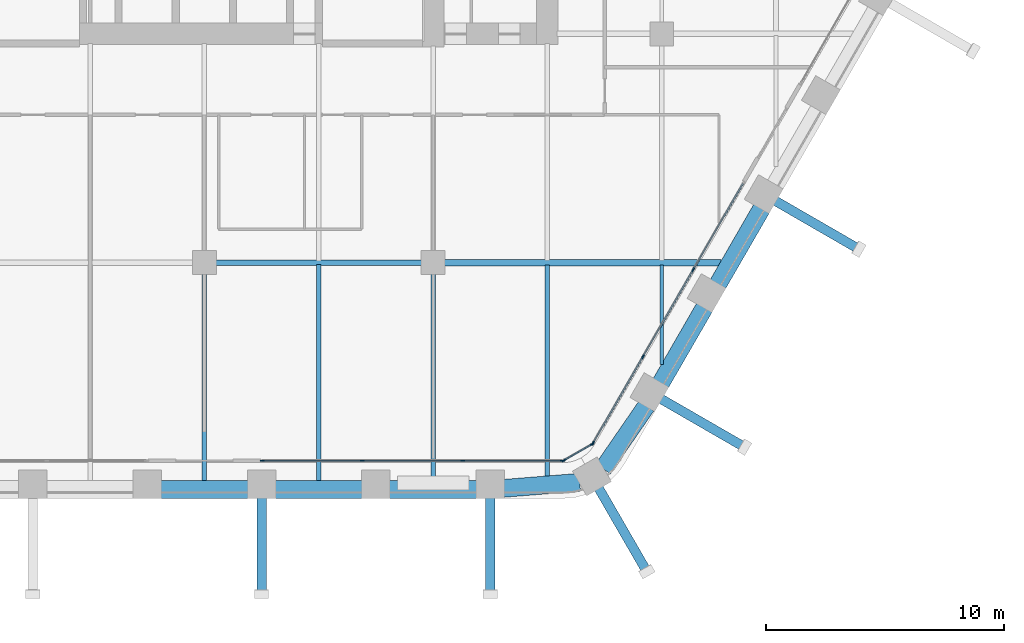
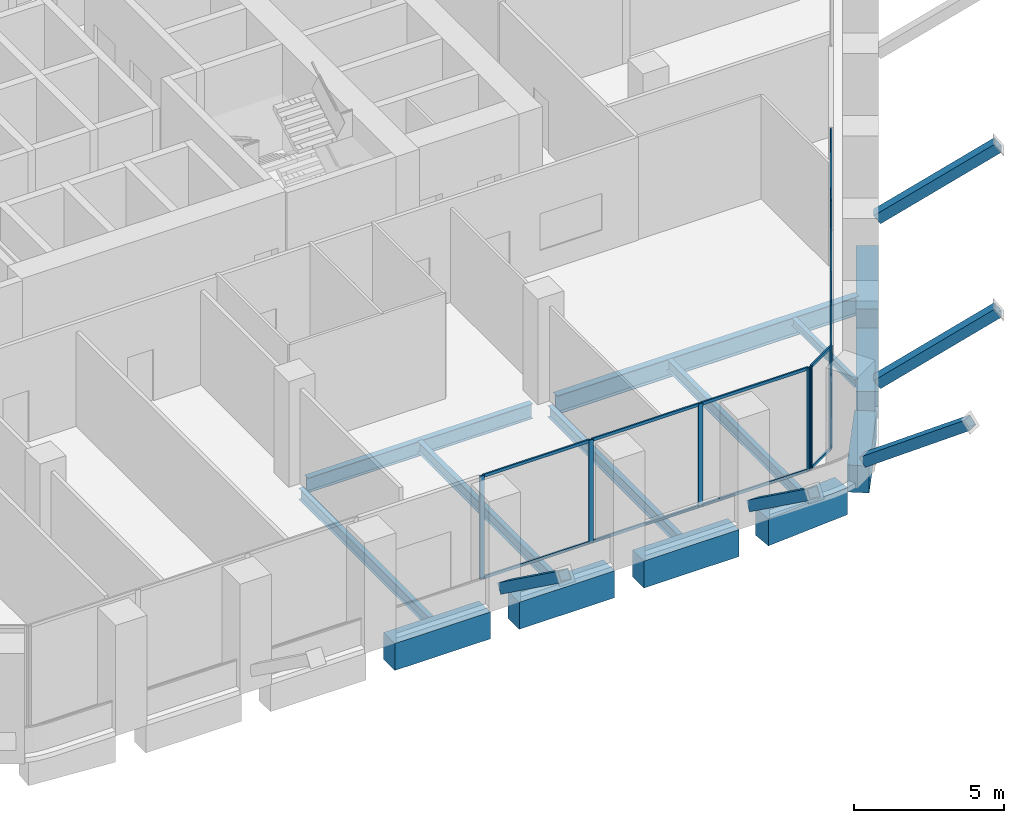
# One storey, part 4 of 24: 28 members, 14 beams, 3 elements without a shape of their own.
"""IFC4 building model written with IfcOpenShell, lengths in metres."""

from ifc_helpers import new_model, si_unit, direction, frame, origin, origin_2d, place, context, subcontext, project, spatial, rectangle, hollow_rectangle, i_section, extrude, material, material_profile, profile_set, type_object, element, aggregate, save


model = new_model("IFC4")

# Units and contexts
model_context = context("Model", 3, precision=1e-05, world=origin(), true_north=direction((0.0, 1.0)))
body_context = subcontext(model_context, "Body", "Model", "MODEL_VIEW")
ifc_project = project(units=[si_unit("LENGTHUNIT", "METRE"), si_unit("AREAUNIT", "SQUARE_METRE"), si_unit("VOLUMEUNIT", "CUBIC_METRE"), si_unit("PLANEANGLEUNIT", "RADIAN"), si_unit("MASSUNIT", "GRAM", prefix="KILO")], contexts=[model_context])

# Site, building, storey
site_placement = place(None, origin())
site = spatial("IfcSite", under=ifc_project, at=site_placement, CompositionType="ELEMENT")
building_placement = place(site_placement, origin())
building = spatial("IfcBuilding", under=site, at=building_placement, Name="Kolab Exchange Tower", CompositionType="ELEMENT")
storey_placement = place(building_placement, frame((0.0, 0.0, 86.89990234375)))
storey = spatial("IfcBuildingStorey", under=building, at=storey_placement, Name="L16", CompositionType="ELEMENT", Elevation=86.89990234375)

# Beams
ifc_material_1 = material(Name="Steel S355", Category="steel")
ifc_material_profile_1 = material_profile(ifc_material_1, i_section(OverallWidth=0.1650390625, OverallDepth=0.31005859375, WebThickness=0.005859375, FlangeThickness=0.009765625, at=origin_2d()), Name="W310X39")
ifc_profile_set_1 = profile_set([ifc_material_profile_1], Name="Steel S355")
beam_type_1 = type_object("IfcBeamType", Name="FLOOR BEAM W310X39", PredefinedType="BEAM", material=ifc_profile_set_1)
beam_1_placement = place(storey_placement, frame((19.199951171875, -23.4814453125, -0.35498046875), z_axis=(0.0, 1.0, 0.0), x_axis=(-1.0, 0.0, 0.0)))
element("IfcBeam", 1, at=beam_1_placement, inside=storey, type_object=beam_type_1, Name="beam/L16/fr/040", PredefinedType="BEAM", context=body_context, shape_type="SweptSolid", body=[
    extrude(i_section(OverallWidth=0.1650390625, OverallDepth=0.31005859375, WebThickness=0.005859375, FlangeThickness=0.009765625, at=origin_2d()), origin(), (0.0, 0.0, 1.0), 4.18798828125),
])
ifc_material_profile_2 = material_profile(ifc_material_1, i_section(OverallWidth=0.18994140625, OverallDepth=0.45703125, WebThickness=0.009033203125, FlangeThickness=0.014404296875, at=origin_2d()), Name="W460X74")
ifc_profile_set_2 = profile_set([ifc_material_profile_2], Name="Steel S355")
beam_type_2 = type_object("IfcBeamType", Name="FLOOR BEAM W460X74", PredefinedType="BEAM", material=ifc_profile_set_2)
beam_2_placement = place(storey_placement, frame((0.0, -28.388427734375, -0.428466796875), z_axis=(0.0, 1.0, 0.0), x_axis=(-1.0, 0.0, 0.0)))
element("IfcBeam", 2, at=beam_2_placement, inside=storey, type_object=beam_type_2, Name="beam/L16/fr/024", PredefinedType="BEAM", context=body_context, shape_type="SweptSolid", body=[
    extrude(i_section(OverallWidth=0.18994140625, OverallDepth=0.45703125, WebThickness=0.009033203125, FlangeThickness=0.014404296875, at=origin_2d()), origin(), (0.0, 0.0, 1.0), 8.728515625),
])
beam_3_placement = place(storey_placement, frame((4.800048828125, -28.388427734375, -0.428466796875), z_axis=(0.0, 1.0, 0.0), x_axis=(-1.0, 0.0, 0.0)))
element("IfcBeam", 3, at=beam_3_placement, inside=storey, type_object=beam_type_2, Name="beam/L16/fr/028", PredefinedType="BEAM", context=body_context, shape_type="SweptSolid", body=[
    extrude(i_section(OverallWidth=0.18994140625, OverallDepth=0.45703125, WebThickness=0.009033203125, FlangeThickness=0.014404296875, at=origin_2d()), origin(), (0.0, 0.0, 1.0), 9.114501953125),
])
beam_4_placement = place(storey_placement, frame((9.60009765625, -28.388427734375, -0.428466796875), z_axis=(0.0, 1.0, 0.0), x_axis=(-1.0, 0.0, 0.0)))
element("IfcBeam", 4, at=beam_4_placement, inside=storey, type_object=beam_type_2, Name="beam/L16/fr/032", PredefinedType="BEAM", context=body_context, shape_type="SweptSolid", body=[
    extrude(i_section(OverallWidth=0.18994140625, OverallDepth=0.45703125, WebThickness=0.009033203125, FlangeThickness=0.014404296875, at=origin_2d()), origin(), (0.0, 0.0, 1.0), 8.728515625),
])
beam_5_placement = place(storey_placement, frame((14.39990234375, -28.194580078125, -0.428466796875), z_axis=(0.0, 1.0, 0.0), x_axis=(-1.0, 0.0, 0.0)))
element("IfcBeam", 5, at=beam_5_placement, inside=storey, type_object=beam_type_2, Name="beam/L16/fr/036", PredefinedType="BEAM", context=body_context, shape_type="SweptSolid", body=[
    extrude(i_section(OverallWidth=0.18994140625, OverallDepth=0.45703125, WebThickness=0.009033203125, FlangeThickness=0.014404296875, at=origin_2d()), origin(), (0.0, 0.0, 1.0), 8.901123046875),
])
ifc_material_profile_3 = material_profile(ifc_material_1, i_section(OverallWidth=0.22802734375, OverallDepth=0.60791015625, WebThickness=0.01123046875, FlangeThickness=0.017333984375, at=origin_2d()), Name="W610X113")
ifc_profile_set_3 = profile_set([ifc_material_profile_3], Name="Steel S355")
beam_type_3 = type_object("IfcBeamType", Name="FLOOR GIRDER W610X113", PredefinedType="BEAM", material=ifc_profile_set_3)
beam_6_placement = place(storey_placement, frame((0.4599609375, -19.199951171875, -0.50390625), z_axis=(1.0, 0.0, 0.0), x_axis=(0.0, 1.0, 0.0)))
element("IfcBeam", 6, at=beam_6_placement, inside=storey, type_object=beam_type_3, Name="beam/L16/gd/010", PredefinedType="BEAM", context=body_context, shape_type="SweptSolid", body=[
    extrude(i_section(OverallWidth=0.22802734375, OverallDepth=0.60791015625, WebThickness=0.01123046875, FlangeThickness=0.017333984375, at=origin_2d()), origin(), (0.0, 0.0, 1.0), 8.679931640625),
])
ifc_material_profile_4 = material_profile(ifc_material_1, i_section(OverallWidth=0.26708984375, OverallDepth=0.761962890625, WebThickness=0.014404296875, FlangeThickness=0.021484375, at=origin_2d()), Name="W760X173")
ifc_profile_set_4 = profile_set([ifc_material_profile_4], Name="Steel S355")
beam_type_4 = type_object("IfcBeamType", Name="FLOOR GIRDER W760X173", PredefinedType="BEAM", material=ifc_profile_set_4)
beam_7_placement = place(storey_placement, frame((10.06005859375, -19.199951171875, -0.580810546875), z_axis=(1.0, 0.0, 0.0), x_axis=(0.0, 1.0, 0.0)))
element("IfcBeam", 7, at=beam_7_placement, inside=storey, type_object=beam_type_4, Name="beam/L16/gd/012", PredefinedType="BEAM", context=body_context, shape_type="SweptSolid", body=[
    extrude(i_section(OverallWidth=0.26708984375, OverallDepth=0.761962890625, WebThickness=0.014404296875, FlangeThickness=0.021484375, at=origin_2d()), origin(), (0.0, 0.0, 1.0), 11.628662109375),
])

# Members
ifc_material_profile_5 = material_profile(ifc_material_1, hollow_rectangle(XDim=0.39990234375, YDim=0.39990234375, WallThickness=0.02001953125, at=origin_2d()), Name="HSS400X400X20")
ifc_profile_set_5 = profile_set([ifc_material_profile_5], Name="Steel S355")
member_type_1 = type_object("IfcMemberType", Name="LEDGE STRUT HSS400X400X20", PredefinedType="STRUT", material=ifc_profile_set_5)
for number, where, z_axis, x_axis, name in (
    (8, (23.96533203125, -16.607666015625, 0.60009765625), (0.702055669831, -0.40533170136, 0.585511783255), (0.499999695987, 0.866025579307, 0.0), "mem/L16/ledge/strut-2"),
    (9, (19.165283203125, -24.92138671875, 0.60009765625), (0.702055669831, -0.40533170136, 0.585511783255), (0.499999695987, 0.866025579307, 0.0), "mem/L16/ledge/strut-3"),
    (10, (16.5478515625, -28.661865234375, 0.60009765625), (0.40533170136, -0.702055669831, 0.585511783255), (0.866025579307, 0.499999695987, 0.0), "mem/L16/ledge/strut-4"),
):
    element("IfcMember", number, at=place(storey_placement, frame(where, z_axis=z_axis, x_axis=x_axis)), inside=storey, type_object=member_type_1, Name=name, PredefinedType="STRUT", context=body_context, shape_type="SweptSolid", body=[
        extrude(hollow_rectangle(XDim=0.39990234375, YDim=0.39990234375, WallThickness=0.02001953125, at=origin_2d()), origin(), (0.0, 0.0, 1.0), 4.983642578125),
    ])
for number, where, z_axis, x_axis, name in (
    (11, (12.0, -29.05859375, 0.60009765625), (0.0, -0.810646931153, 0.585535270511), (1.0, 0.0, 0.0), "mem/L16/ledge/strut-5"),
    (12, (2.39990234375, -29.05859375, 0.60009765625), (0.0, -0.810646931153, 0.585535270511), (1.0, 0.0, 0.0), "mem/L16/ledge/strut-6"),
):
    element("IfcMember", number, at=place(storey_placement, frame(where, z_axis=z_axis, x_axis=x_axis)), inside=storey, type_object=member_type_1, Name=name, PredefinedType="STRUT", context=body_context, shape_type="SweptSolid", body=[
        extrude(hollow_rectangle(XDim=0.39990234375, YDim=0.39990234375, WallThickness=0.02001953125, at=origin_2d()), origin(), (0.0, 0.0, 1.0), 4.9833984375),
    ])

# Beams
ifc_material_2 = material(Name="Concrete C70/85", Category="concrete")
ifc_material_profile_6 = material_profile(ifc_material_2, rectangle(XDim=0.75, YDim=1.10009765625, at=origin_2d()), Name="RC750X1100")
ifc_profile_set_6 = profile_set([ifc_material_profile_6], Name="Concrete C70/85")
beam_type_5 = type_object("IfcBeamType", Name="SPANDREL BEAM 750X1100 C70/85", PredefinedType="BEAM", material=ifc_profile_set_6)
for number, where, z_axis, x_axis, name in (
    (13, (23.395263671875, -16.925048828125, -0.75), (-0.500013413428, -0.866017659399, 0.0), (0.866017659399, -0.500013413428, 0.0), "beam/L16/sp/F3-05"),
    (14, (20.995361328125, -21.08203125, -0.75), (-0.500013413428, -0.866017659399, 0.0), (0.866017659399, -0.500013413428, 0.0), "beam/L16/sp/F3-06"),
):
    element("IfcBeam", number, at=place(storey_placement, frame(where, z_axis=z_axis, x_axis=x_axis)), inside=storey, type_object=beam_type_5, Name=name, PredefinedType="BEAM", context=body_context, shape_type="SweptSolid", body=[
        extrude(rectangle(XDim=0.75, YDim=1.10009765625, at=origin_2d()), origin(), (0.0, 0.0, 1.0), 3.68017578125),
    ])
for number, where, z_axis, x_axis, name in (
    (15, (18.55615234375, -25.216552734375, -0.75), (-0.567661826262, -0.823261836237, 0.0), (0.823261836237, -0.567661826262, 0.0), "beam/L16/sp/F3-07"),
    (16, (15.75830078125, -28.421630859375, -0.75), (-0.996791038408, -0.080047646748, 0.0), (0.080047646748, -0.996791038408, 0.0), "beam/L16/sp/F4-01"),
):
    element("IfcBeam", number, at=place(storey_placement, frame(where, z_axis=z_axis, x_axis=x_axis)), inside=storey, type_object=beam_type_5, Name=name, PredefinedType="BEAM", context=body_context, shape_type="SweptSolid", body=[
        extrude(rectangle(XDim=0.75, YDim=1.10009765625, at=origin_2d()), origin(), (0.0, 0.0, 1.0), 3.20849609375),
    ])
for number, where, z_axis, x_axis, name in (
    (17, (11.43994140625, -28.723388671875, -0.75), (-1.0, 0.0, 0.0), (0.0, -1.0, 0.0), "beam/L16/sp/F4-02"),
    (18, (6.639892578125, -28.723388671875, -0.75), (-1.0, 0.0, 0.0), (0.0, -1.0, 0.0), "beam/L16/sp/F4-03"),
):
    element("IfcBeam", number, at=place(storey_placement, frame(where, z_axis=z_axis, x_axis=x_axis)), inside=storey, type_object=beam_type_5, Name=name, PredefinedType="BEAM", context=body_context, shape_type="SweptSolid", body=[
        extrude(rectangle(XDim=0.75, YDim=1.10009765625, at=origin_2d()), origin(), (0.0, 0.0, 1.0), 3.679931640625),
    ])
beam_8_placement = place(storey_placement, frame((1.840087890625, -28.723388671875, -0.75), z_axis=(-1.0, 0.0, 0.0), x_axis=(0.0, -1.0, 0.0)))
element("IfcBeam", 19, at=beam_8_placement, inside=storey, type_object=beam_type_5, Name="beam/L16/sp/F4-04", PredefinedType="BEAM", context=body_context, shape_type="SweptSolid", body=[
    extrude(rectangle(XDim=0.75, YDim=1.10009765625, at=origin_2d()), origin(), (0.0, 0.0, 1.0), 3.68017578125),
])

# Curtain wall, members
ifc_material_3 = material(Name="Aluminium EN AW-6063 T6", Category="aluminium")
curtain_wall_type = type_object("IfcCurtainWallType", Name="UNITISED LOWER MID ZONE CURTAIN WALL", PredefinedType="NOTDEFINED", material=ifc_material_3)
curtain_wall_1_placement = place(storey_placement, origin())
curtain_wall_1 = element("IfcCurtainWall", 20, at=curtain_wall_1_placement, inside=storey, type_object=curtain_wall_type, Name="cw/L16/F3-2", PredefinedType="NOTDEFINED")
ifc_material_profile_7 = material_profile(ifc_material_3, rectangle(XDim=0.06005859375, YDim=0.179931640625, at=origin_2d()), Name="RECT 60X180")
ifc_profile_set_7 = profile_set([ifc_material_profile_7], Name="Aluminium EN AW-6063 T6")
member_type_2 = type_object("IfcMemberType", Name="UNITISED LOWER MID ZONE MULLION 60 X 180", PredefinedType="MULLION", material=ifc_profile_set_7)
member_1_placement = place(storey_placement, frame((20.520263671875, -19.49462890625, 0.0), z_axis=(0.0, 0.0, 1.0), x_axis=(0.866025393644, -0.500000017564, 0.0)))
member_1 = element("IfcMember", 21, at=member_1_placement, type_object=member_type_2, Name="CW2 mullion 2", PredefinedType="MULLION", context=body_context, shape_type="SweptSolid", body=[
    extrude(rectangle(XDim=0.06005859375, YDim=0.179931640625, at=origin_2d()), origin(), (0.0, 0.0, 1.0), 4.2001953125),
])
member_2_placement = place(storey_placement, frame((18.408935546875, -23.151611328125, 0.0), z_axis=(0.0, 0.0, 1.0), x_axis=(0.866025393644, -0.500000017564, 0.0)))
member_2 = element("IfcMember", 22, at=member_2_placement, type_object=member_type_2, Name="CW2 mullion 3", PredefinedType="MULLION", context=body_context, shape_type="SweptSolid", body=[
    extrude(rectangle(XDim=0.06005859375, YDim=0.179931640625, at=origin_2d()), origin(), (0.0, 0.0, 1.0), 4.2001953125),
])
member_3_placement = place(storey_placement, frame((16.312744140625, -26.782470703125, 0.0), z_axis=(0.0, 0.0, 1.0), x_axis=(0.866025393644, -0.500000017564, 0.0)))
member_3 = element("IfcMember", 23, at=member_3_placement, type_object=member_type_2, Name="CW2 mullion 4", PredefinedType="MULLION", context=body_context, shape_type="SweptSolid", body=[
    extrude(rectangle(XDim=0.06005859375, YDim=0.179931640625, at=origin_2d()), origin(), (0.0, 0.0, 1.0), 4.2001953125),
])

curtain_wall_2_placement = place(storey_placement, origin())
curtain_wall_2 = element("IfcCurtainWall", 24, at=curtain_wall_2_placement, inside=storey, type_object=curtain_wall_type, Name="cw/L16/F4-1", PredefinedType="NOTDEFINED")
member_4_placement = place(storey_placement, frame((15.037841796875, -27.5185546875, 0.0), z_axis=(0.0, 0.0, 1.0), x_axis=(0.0, -1.0, 0.0)))
member_4 = element("IfcMember", 25, at=member_4_placement, type_object=member_type_2, Name="CW2 mullion 1", PredefinedType="MULLION", context=body_context, shape_type="SweptSolid", body=[
    extrude(rectangle(XDim=0.06005859375, YDim=0.179931640625, at=origin_2d()), origin(), (0.0, 0.0, 1.0), 4.2001953125),
])
member_5_placement = place(storey_placement, frame((10.84521484375, -27.5185546875, 0.0), z_axis=(0.0, 0.0, 1.0), x_axis=(0.0, -1.0, 0.0)))
member_5 = element("IfcMember", 26, at=member_5_placement, type_object=member_type_2, Name="CW2 mullion 2", PredefinedType="MULLION", context=body_context, shape_type="SweptSolid", body=[
    extrude(rectangle(XDim=0.06005859375, YDim=0.179931640625, at=origin_2d()), origin(), (0.0, 0.0, 1.0), 4.2001953125),
])
member_6_placement = place(storey_placement, frame((6.62255859375, -27.5185546875, 0.0), z_axis=(0.0, 0.0, 1.0), x_axis=(0.0, -1.0, 0.0)))
member_6 = element("IfcMember", 27, at=member_6_placement, type_object=member_type_2, Name="CW2 mullion 3", PredefinedType="MULLION", context=body_context, shape_type="SweptSolid", body=[
    extrude(rectangle(XDim=0.06005859375, YDim=0.179931640625, at=origin_2d()), origin(), (0.0, 0.0, 1.0), 4.2001953125),
])
member_7_placement = place(storey_placement, frame((2.429931640625, -27.5185546875, 0.0), z_axis=(0.0, 0.0, 1.0), x_axis=(0.0, -1.0, 0.0)))
member_7 = element("IfcMember", 28, at=member_7_placement, type_object=member_type_2, Name="CW2 mullion 4", PredefinedType="MULLION", context=body_context, shape_type="SweptSolid", body=[
    extrude(rectangle(XDim=0.06005859375, YDim=0.179931640625, at=origin_2d()), origin(), (0.0, 0.0, 1.0), 4.2001953125),
])

curtain_wall_3_placement = place(storey_placement, origin())
curtain_wall_3 = element("IfcCurtainWall", 29, at=curtain_wall_3_placement, inside=storey, type_object=curtain_wall_type, Name="cw/L16/F3F4-corner", PredefinedType="NOTDEFINED")
member_8_placement = place(storey_placement, frame((16.271728515625, -26.823486328125, 0.0), z_axis=(0.0, 0.0, 1.0), x_axis=(0.50000002237, -0.866025390869, 0.0)))
member_8 = element("IfcMember", 30, at=member_8_placement, type_object=member_type_2, Name="CW2 mullion 1", PredefinedType="MULLION", context=body_context, shape_type="SweptSolid", body=[
    extrude(rectangle(XDim=0.06005859375, YDim=0.179931640625, at=origin_2d()), origin(), (0.0, 0.0, 1.0), 4.2001953125),
])
member_9_placement = place(storey_placement, frame((15.093994140625, -27.50341796875, 0.0), z_axis=(0.0, 0.0, 1.0), x_axis=(0.50000002237, -0.866025390869, 0.0)))
member_9 = element("IfcMember", 31, at=member_9_placement, type_object=member_type_2, Name="CW2 mullion 2", PredefinedType="MULLION", context=body_context, shape_type="SweptSolid", body=[
    extrude(rectangle(XDim=0.06005859375, YDim=0.179931640625, at=origin_2d()), origin(), (0.0, 0.0, 1.0), 4.2001953125),
])

# Member
ifc_material_profile_8 = material_profile(ifc_material_3, rectangle(XDim=0.06005859375, YDim=0.1201171875, at=origin_2d()), Name="RECT 60X120")
ifc_profile_set_8 = profile_set([ifc_material_profile_8], Name="Aluminium EN AW-6063 T6")
member_type_3 = type_object("IfcMemberType", Name="UNITISED LOWER MID ZONE TRANSOM 60 X 120", PredefinedType="USERDEFINED", material=ifc_profile_set_8)
member_10_placement = place(storey_placement, frame((22.6015625, -15.8896484375, 0.030029296875), z_axis=(-0.499957688808, -0.866049830784, 0.0), x_axis=(0.866049830784, -0.499957688808, 0.0)))
member_10 = element("IfcMember", 32, at=member_10_placement, type_object=member_type_3, Name="CW2 transom 1.1", ObjectType="TRANSOM", PredefinedType="USERDEFINED", context=body_context, shape_type="SweptSolid", body=[
    extrude(rectangle(XDim=0.06005859375, YDim=0.1201171875, at=origin_2d()), origin(), (0.0, 0.0, 1.0), 4.132568359375),
])

member_11_placement = place(storey_placement, frame((22.6015625, -15.8896484375, 4.170166015625), z_axis=(-0.499957688808, -0.866049830784, 0.0), x_axis=(0.866049830784, -0.499957688808, 0.0)))
member_11 = element("IfcMember", 33, at=member_11_placement, type_object=member_type_3, Name="CW2 transom 1.2", ObjectType="TRANSOM", PredefinedType="USERDEFINED", context=body_context, shape_type="SweptSolid", body=[
    extrude(rectangle(XDim=0.06005859375, YDim=0.1201171875, at=origin_2d()), origin(), (0.0, 0.0, 1.0), 4.132568359375),
])

member_12_placement = place(storey_placement, frame((20.50537109375, -19.5205078125, 0.030029296875), z_axis=(-0.49999322259, -0.866029316688, 0.0), x_axis=(0.866029316688, -0.49999322259, 0.0)))
member_12 = element("IfcMember", 34, at=member_12_placement, type_object=member_type_3, Name="CW2 transom 2.1", ObjectType="TRANSOM", PredefinedType="USERDEFINED", context=body_context, shape_type="SweptSolid", body=[
    extrude(rectangle(XDim=0.06005859375, YDim=0.1201171875, at=origin_2d()), origin(), (0.0, 0.0, 1.0), 4.16259765625),
])

member_13_placement = place(storey_placement, frame((20.50537109375, -19.5205078125, 4.170166015625), z_axis=(-0.49999322259, -0.866029316688, 0.0), x_axis=(0.866029316688, -0.49999322259, 0.0)))
member_13 = element("IfcMember", 35, at=member_13_placement, type_object=member_type_3, Name="CW2 transom 2.2", ObjectType="TRANSOM", PredefinedType="USERDEFINED", context=body_context, shape_type="SweptSolid", body=[
    extrude(rectangle(XDim=0.06005859375, YDim=0.1201171875, at=origin_2d()), origin(), (0.0, 0.0, 1.0), 4.16259765625),
])

member_14_placement = place(storey_placement, frame((18.39404296875, -23.177490234375, 0.030029296875), z_axis=(-0.500001996123, -0.866024251319, 0.0), x_axis=(0.866024251319, -0.500001996123, 0.0)))
member_14 = element("IfcMember", 36, at=member_14_placement, type_object=member_type_3, Name="CW2 transom 3.1", ObjectType="TRANSOM", PredefinedType="USERDEFINED", context=body_context, shape_type="SweptSolid", body=[
    extrude(rectangle(XDim=0.06005859375, YDim=0.1201171875, at=origin_2d()), origin(), (0.0, 0.0, 1.0), 4.1328125),
])

member_15_placement = place(storey_placement, frame((18.39404296875, -23.177490234375, 4.170166015625), z_axis=(-0.500001996123, -0.866024251319, 0.0), x_axis=(0.866024251319, -0.500001996123, 0.0)))
member_15 = element("IfcMember", 37, at=member_15_placement, type_object=member_type_3, Name="CW2 transom 3.2", ObjectType="TRANSOM", PredefinedType="USERDEFINED", context=body_context, shape_type="SweptSolid", body=[
    extrude(rectangle(XDim=0.06005859375, YDim=0.1201171875, at=origin_2d()), origin(), (0.0, 0.0, 1.0), 4.1328125),
])

aggregate(curtain_wall_1, [member_1, member_2, member_3, member_10, member_11, member_12, member_13, member_14, member_15])

member_16_placement = place(storey_placement, frame((15.008056640625, -27.5185546875, 0.030029296875), z_axis=(-1.0, 0.0, 0.0), x_axis=(0.0, -1.0, 0.0)))
member_16 = element("IfcMember", 38, at=member_16_placement, type_object=member_type_3, Name="CW2 transom 1.1", ObjectType="TRANSOM", PredefinedType="USERDEFINED", context=body_context, shape_type="SweptSolid", body=[
    extrude(rectangle(XDim=0.06005859375, YDim=0.1201171875, at=origin_2d()), origin(), (0.0, 0.0, 1.0), 4.1328125),
])

member_17_placement = place(storey_placement, frame((15.008056640625, -27.5185546875, 4.170166015625), z_axis=(-1.0, 0.0, 0.0), x_axis=(0.0, -1.0, 0.0)))
member_17 = element("IfcMember", 39, at=member_17_placement, type_object=member_type_3, Name="CW2 transom 1.2", ObjectType="TRANSOM", PredefinedType="USERDEFINED", context=body_context, shape_type="SweptSolid", body=[
    extrude(rectangle(XDim=0.06005859375, YDim=0.1201171875, at=origin_2d()), origin(), (0.0, 0.0, 1.0), 4.1328125),
])

member_18_placement = place(storey_placement, frame((10.815185546875, -27.5185546875, 0.030029296875), z_axis=(-1.0, 0.0, 0.0), x_axis=(0.0, -1.0, 0.0)))
member_18 = element("IfcMember", 40, at=member_18_placement, type_object=member_type_3, Name="CW2 transom 2.1", ObjectType="TRANSOM", PredefinedType="USERDEFINED", context=body_context, shape_type="SweptSolid", body=[
    extrude(rectangle(XDim=0.06005859375, YDim=0.1201171875, at=origin_2d()), origin(), (0.0, 0.0, 1.0), 4.16259765625),
])

member_19_placement = place(storey_placement, frame((10.815185546875, -27.5185546875, 4.170166015625), z_axis=(-1.0, 0.0, 0.0), x_axis=(0.0, -1.0, 0.0)))
member_19 = element("IfcMember", 41, at=member_19_placement, type_object=member_type_3, Name="CW2 transom 2.2", ObjectType="TRANSOM", PredefinedType="USERDEFINED", context=body_context, shape_type="SweptSolid", body=[
    extrude(rectangle(XDim=0.06005859375, YDim=0.1201171875, at=origin_2d()), origin(), (0.0, 0.0, 1.0), 4.16259765625),
])

member_20_placement = place(storey_placement, frame((6.592529296875, -27.5185546875, 0.030029296875), z_axis=(-1.0, 0.0, 0.0), x_axis=(0.0, -1.0, 0.0)))
member_20 = element("IfcMember", 42, at=member_20_placement, type_object=member_type_3, Name="CW2 transom 3.1", ObjectType="TRANSOM", PredefinedType="USERDEFINED", context=body_context, shape_type="SweptSolid", body=[
    extrude(rectangle(XDim=0.06005859375, YDim=0.1201171875, at=origin_2d()), origin(), (0.0, 0.0, 1.0), 4.132568359375),
])

member_21_placement = place(storey_placement, frame((6.592529296875, -27.5185546875, 4.170166015625), z_axis=(-1.0, 0.0, 0.0), x_axis=(0.0, -1.0, 0.0)))
member_21 = element("IfcMember", 43, at=member_21_placement, type_object=member_type_3, Name="CW2 transom 3.2", ObjectType="TRANSOM", PredefinedType="USERDEFINED", context=body_context, shape_type="SweptSolid", body=[
    extrude(rectangle(XDim=0.06005859375, YDim=0.1201171875, at=origin_2d()), origin(), (0.0, 0.0, 1.0), 4.132568359375),
])

aggregate(curtain_wall_2, [member_4, member_5, member_6, member_7, member_16, member_17, member_18, member_19, member_20, member_21])

member_22_placement = place(storey_placement, frame((16.245849609375, -26.83837890625, 0.030029296875), z_axis=(-0.866004217611, -0.500036693733, 0.0), x_axis=(0.500036693733, -0.866004217611, 0.0)))
member_22 = element("IfcMember", 44, at=member_22_placement, type_object=member_type_3, Name="CW2 transom 1.1", ObjectType="TRANSOM", PredefinedType="USERDEFINED", context=body_context, shape_type="SweptSolid", body=[
    extrude(rectangle(XDim=0.06005859375, YDim=0.1201171875, at=origin_2d()), origin(), (0.0, 0.0, 1.0), 1.30029296875),
])

member_23_placement = place(storey_placement, frame((16.245849609375, -26.83837890625, 4.170166015625), z_axis=(-0.866004217611, -0.500036693733, 0.0), x_axis=(0.500036693733, -0.866004217611, 0.0)))
member_23 = element("IfcMember", 45, at=member_23_placement, type_object=member_type_3, Name="CW2 transom 1.2", ObjectType="TRANSOM", PredefinedType="USERDEFINED", context=body_context, shape_type="SweptSolid", body=[
    extrude(rectangle(XDim=0.06005859375, YDim=0.1201171875, at=origin_2d()), origin(), (0.0, 0.0, 1.0), 1.30029296875),
])

aggregate(curtain_wall_3, [member_8, member_9, member_22, member_23])

save(model, "model.ifc")
